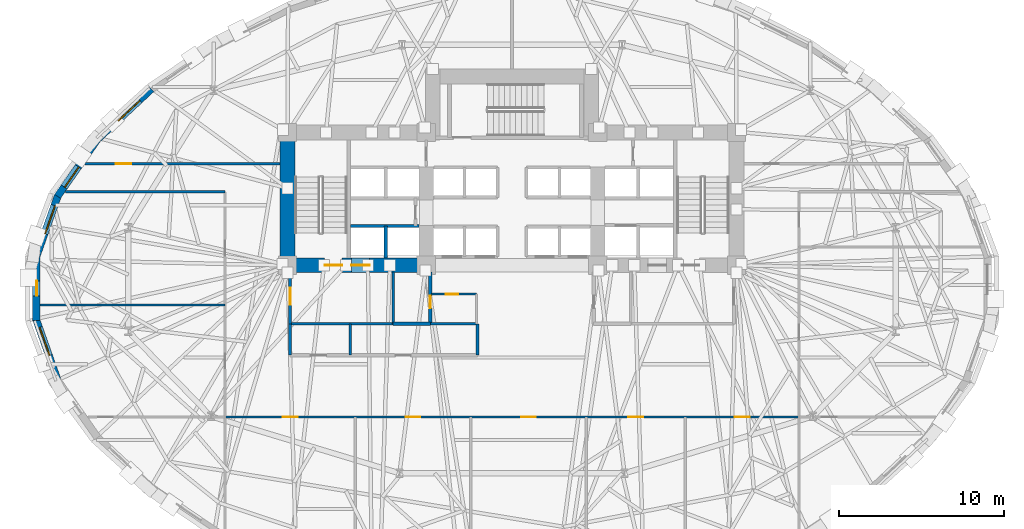
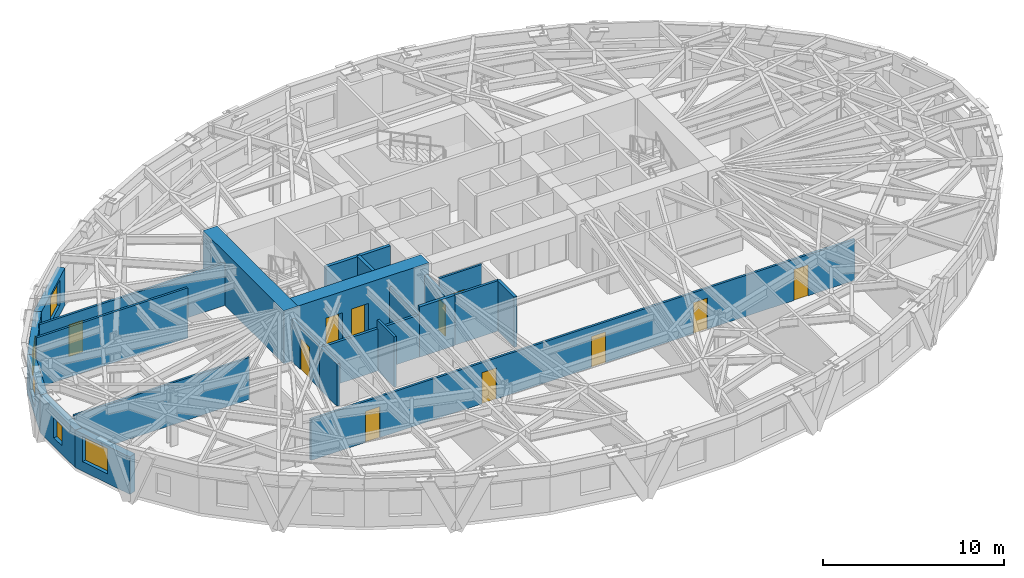
# One storey, part 7 of 14: 23 walls, 11 doors, 5 windows, 16 openings.
"""IFC4 building model written with IfcOpenShell, lengths in metres."""

from ifc_helpers import new_model, si_unit, direction, frame, frame_2d, origin, place, context, subcontext, project, spatial, rectangle, extrude, material, layer, layer_set, type_object, element, fill, save


model = new_model("IFC4")

# Units and contexts
model_context = context("Model", 3, precision=1e-05, world=origin(), true_north=direction((0.0, 1.0)))
body_context = subcontext(model_context, "Body", "Model", "MODEL_VIEW")
ifc_project = project(units=[si_unit("LENGTHUNIT", "METRE"), si_unit("AREAUNIT", "SQUARE_METRE"), si_unit("VOLUMEUNIT", "CUBIC_METRE"), si_unit("PLANEANGLEUNIT", "RADIAN"), si_unit("MASSUNIT", "GRAM", prefix="KILO")], contexts=[model_context])

# Site, building, storey
site_placement = place(None, origin())
site = spatial("IfcSite", under=ifc_project, at=site_placement, CompositionType="ELEMENT")
building_placement = place(site_placement, origin())
building = spatial("IfcBuilding", under=site, at=building_placement, Name="Keldmark Tower", CompositionType="ELEMENT")
storey_placement = place(building_placement, frame((0.0, 0.0, 59.39990234375)))
storey = spatial("IfcBuildingStorey", under=building, at=storey_placement, Name="L15", CompositionType="ELEMENT", Elevation=59.39990234375)

# Wall, openings, doors
ifc_material_1 = material(Name="Acoustic Double-Layer Gypsum Corridor Partition", Category="gypsum")
ifc_layer_1 = layer(ifc_material_1, 0.139892578125)
ifc_layer_set_1 = layer_set([ifc_layer_1], Name="Acoustic Double-Layer Gypsum Corridor Partition")
wall_type_1 = type_object("IfcWallType", Name="Acoustic Corridor Partition 140 mm", PredefinedType="PARTITIONING", material=ifc_layer_set_1)
wall_1_placement = place(storey_placement, frame((-17.39990234375, -7.800048828125, 0.0), z_axis=(0.0, 0.0, 1.0), x_axis=(1.0, 0.0, 0.0)))
wall_1 = element("IfcWall", 1, at=wall_1_placement, inside=storey, type_object=wall_type_1, Name="L15 Acoustic Corridor Partition 140 mm COR-S", PredefinedType="PARTITIONING", context=body_context, shape_type="SweptSolid", body=[
    extrude(rectangle(XDim=34.7998046875, YDim=0.139892578125, at=frame_2d((17.39990234375, 0.0))), origin(), (0.0, 0.0, 1.0), 2.779052734375),
])
opening_1_placement = place(wall_1_placement, frame((3.5, 0.0, 0.0)))
opening_1 = element("IfcOpeningElement", 2, at=opening_1_placement, cuts=wall_1, Name="Opening D-IN090", PredefinedType="OPENING", context=body_context, shape_type="SweptSolid", body=[
    extrude(rectangle(XDim=0.89990234375, YDim=2.10009765625, at=frame_2d((0.449951171875, 1.050048828125))), frame((0.0, 0.079833984375, 0.0), z_axis=(0.0, -1.0, 0.0), x_axis=(1.0, 0.0, 0.0)), (0.0, 0.0, 1.0), 0.159912109375),
])
opening_2_placement = place(wall_1_placement, frame((10.949951171875, 0.0, 0.0)))
opening_2 = element("IfcOpeningElement", 3, at=opening_2_placement, cuts=wall_1, Name="Opening D-IN090", PredefinedType="OPENING", context=body_context, shape_type="SweptSolid", body=[
    extrude(rectangle(XDim=0.89990234375, YDim=2.10009765625, at=frame_2d((0.449951171875, 1.050048828125))), frame((0.0, 0.079833984375, 0.0), z_axis=(0.0, -1.0, 0.0), x_axis=(1.0, 0.0, 0.0)), (0.0, 0.0, 1.0), 0.159912109375),
])
opening_3_placement = place(wall_1_placement, frame((17.949951171875, 0.0, 0.0)))
opening_3 = element("IfcOpeningElement", 4, at=opening_3_placement, cuts=wall_1, Name="Opening D-IN090", PredefinedType="OPENING", context=body_context, shape_type="SweptSolid", body=[
    extrude(rectangle(XDim=0.89990234375, YDim=2.10009765625, at=frame_2d((0.449951171875, 1.050048828125))), frame((0.0, 0.079833984375, 0.0), z_axis=(0.0, -1.0, 0.0), x_axis=(1.0, 0.0, 0.0)), (0.0, 0.0, 1.0), 0.159912109375),
])
opening_4_placement = place(wall_1_placement, frame((24.449951171875, 0.0, 0.0)))
opening_4 = element("IfcOpeningElement", 5, at=opening_4_placement, cuts=wall_1, Name="Opening D-IN090", PredefinedType="OPENING", context=body_context, shape_type="SweptSolid", body=[
    extrude(rectangle(XDim=0.89990234375, YDim=2.10009765625, at=frame_2d((0.449951171875, 1.050048828125))), frame((0.0, 0.079833984375, 0.0), z_axis=(0.0, -1.0, 0.0), x_axis=(1.0, 0.0, 0.0)), (0.0, 0.0, 1.0), 0.159912109375),
])
opening_5_placement = place(wall_1_placement, frame((30.89990234375, 0.0, 0.0)))
opening_5 = element("IfcOpeningElement", 6, at=opening_5_placement, cuts=wall_1, Name="Opening D-IN090", PredefinedType="OPENING", context=body_context, shape_type="SweptSolid", body=[
    extrude(rectangle(XDim=0.89990234375, YDim=2.10009765625, at=frame_2d((0.449951171875, 1.050048828125))), frame((0.0, 0.079833984375, 0.0), z_axis=(0.0, -1.0, 0.0), x_axis=(1.0, 0.0, 0.0)), (0.0, 0.0, 1.0), 0.159912109375),
])
ifc_material_2 = material(Name="Stained American White Oak Veneer", Category="wood")
door_type_1 = type_object("IfcDoorType", Name="Interior Door 900x2100", OperationType="NOTDEFINED", PredefinedType="DOOR", material=ifc_material_2)
door_1_placement = place(opening_1_placement, origin())
door_1 = element("IfcDoor", 7, at=door_1_placement, inside=storey, type_object=door_type_1, Name="L15 Interior Door 900x2100 D-SR-1-L15", OperationType="SINGLE_SWING_LEFT", OverallHeight=2.10009765625, OverallWidth=0.89990234375, PredefinedType="DOOR", context=body_context, shape_type="SweptSolid", body=[
    extrude(rectangle(XDim=0.89990234375, YDim=2.10009765625, at=frame_2d((0.449951171875, 1.050048828125))), frame((0.0, 0.02490234375, 0.0), z_axis=(0.0, -1.0, 0.0), x_axis=(1.0, 0.0, 0.0)), (0.0, 0.0, 1.0), 0.050048828125),
])
fill(opening_1, door_1)
door_2_placement = place(opening_2_placement, origin())
door_2 = element("IfcDoor", 8, at=door_2_placement, inside=storey, type_object=door_type_1, Name="L15 Interior Door 900x2100 D-SR-2-L15", OperationType="SINGLE_SWING_RIGHT", OverallHeight=2.10009765625, OverallWidth=0.89990234375, PredefinedType="DOOR", context=body_context, shape_type="SweptSolid", body=[
    extrude(rectangle(XDim=0.89990234375, YDim=2.10009765625, at=frame_2d((0.449951171875, 1.050048828125))), frame((0.0, 0.02490234375, 0.0), z_axis=(0.0, -1.0, 0.0), x_axis=(1.0, 0.0, 0.0)), (0.0, 0.0, 1.0), 0.050048828125),
])
fill(opening_2, door_2)
door_3_placement = place(opening_3_placement, origin())
door_3 = element("IfcDoor", 9, at=door_3_placement, inside=storey, type_object=door_type_1, Name="L15 Interior Door 900x2100 D-SR-3-L15", OperationType="SINGLE_SWING_LEFT", OverallHeight=2.10009765625, OverallWidth=0.89990234375, PredefinedType="DOOR", context=body_context, shape_type="SweptSolid", body=[
    extrude(rectangle(XDim=0.89990234375, YDim=2.10009765625, at=frame_2d((0.449951171875, 1.050048828125))), frame((0.0, 0.02490234375, 0.0), z_axis=(0.0, -1.0, 0.0), x_axis=(1.0, 0.0, 0.0)), (0.0, 0.0, 1.0), 0.050048828125),
])
fill(opening_3, door_3)
door_4_placement = place(opening_4_placement, origin())
door_4 = element("IfcDoor", 10, at=door_4_placement, inside=storey, type_object=door_type_1, Name="L15 Interior Door 900x2100 D-SR-4-L15", OperationType="SINGLE_SWING_RIGHT", OverallHeight=2.10009765625, OverallWidth=0.89990234375, PredefinedType="DOOR", context=body_context, shape_type="SweptSolid", body=[
    extrude(rectangle(XDim=0.89990234375, YDim=2.10009765625, at=frame_2d((0.449951171875, 1.050048828125))), frame((0.0, 0.02490234375, 0.0), z_axis=(0.0, -1.0, 0.0), x_axis=(1.0, 0.0, 0.0)), (0.0, 0.0, 1.0), 0.050048828125),
])
fill(opening_4, door_4)
door_5_placement = place(opening_5_placement, origin())
door_5 = element("IfcDoor", 11, at=door_5_placement, inside=storey, type_object=door_type_1, Name="L15 Interior Door 900x2100 D-SR-5-L15", OperationType="SINGLE_SWING_LEFT", OverallHeight=2.10009765625, OverallWidth=0.89990234375, PredefinedType="DOOR", context=body_context, shape_type="SweptSolid", body=[
    extrude(rectangle(XDim=0.89990234375, YDim=2.10009765625, at=frame_2d((0.449951171875, 1.050048828125))), frame((0.0, 0.02490234375, 0.0), z_axis=(0.0, -1.0, 0.0), x_axis=(1.0, 0.0, 0.0)), (0.0, 0.0, 1.0), 0.050048828125),
])
fill(opening_5, door_5)

# Wall, opening, door
wall_2_placement = place(storey_placement, frame((-25.889404296875, 7.550048828125, 0.0), z_axis=(0.0, 0.0, 1.0), x_axis=(1.0, 0.0, 0.0)))
wall_2 = element("IfcWall", 12, at=wall_2_placement, inside=storey, type_object=wall_type_1, Name="L15 Acoustic Corridor Partition 140 mm COR-WN-CAP", PredefinedType="PARTITIONING", context=body_context, shape_type="SweptSolid", body=[
    extrude(rectangle(XDim=11.83935546875, YDim=0.139892578125, at=frame_2d((5.919677734375, 0.0))), origin(), (0.0, 0.0, 1.0), 2.85302734375),
])
opening_6_placement = place(wall_2_placement, frame((1.885986328125, 0.0, 0.0)))
opening_6 = element("IfcOpeningElement", 13, at=opening_6_placement, cuts=wall_2, Name="Opening D-EX092", PredefinedType="OPENING", context=body_context, shape_type="SweptSolid", body=[
    extrude(rectangle(XDim=0.919921875, YDim=2.14990234375, at=frame_2d((0.4599609375, 1.074951171875))), frame((0.0, 0.079833984375, 0.0), z_axis=(0.0, -1.0, 0.0), x_axis=(1.0, 0.0, 0.0)), (0.0, 0.0, 1.0), 0.159912109375),
])
ifc_material_3 = material(Name="Flush American Ash Executive Office Door", Category="wood")
door_type_2 = type_object("IfcDoorType", Name="Executive Office Door 920x2150", OperationType="NOTDEFINED", PredefinedType="DOOR", material=ifc_material_3)
door_6_placement = place(opening_6_placement, origin())
door_6 = element("IfcDoor", 14, at=door_6_placement, inside=storey, type_object=door_type_2, Name="L15 Executive Office Door 920x2150 D-NRNW-L15", OperationType="SINGLE_SWING_LEFT", OverallHeight=2.14990234375, OverallWidth=0.919921875, PredefinedType="DOOR", context=body_context, shape_type="SweptSolid", body=[
    extrude(rectangle(XDim=0.919921875, YDim=2.14990234375, at=frame_2d((0.4599609375, 1.074951171875))), frame((0.0, 0.02490234375, 0.0), z_axis=(0.0, -1.0, 0.0), x_axis=(1.0, 0.0, 0.0)), (0.0, 0.0, 1.0), 0.050048828125),
])
fill(opening_6, door_6)

# Walls
wall_3_placement = place(storey_placement, frame((-27.078125, 5.85009765625, 0.0), z_axis=(0.0, 0.0, 1.0), x_axis=(1.0, 0.0, 0.0)))
element("IfcWall", 15, at=wall_3_placement, inside=storey, type_object=wall_type_1, Name="L15 Acoustic Corridor Partition 140 mm COR-WA-S", PredefinedType="PARTITIONING", context=body_context, shape_type="SweptSolid", body=[
    extrude(rectangle(XDim=9.67822265625, YDim=0.139892578125, at=frame_2d((4.839111328125, 0.0))), origin(), (0.0, 0.0, 1.0), 3.400146484375),
])
ifc_material_4 = material(Name="Heavy Acoustic Plumbing Chase Gypsum Assembly", Category="gypsum")
ifc_layer_2 = layer(ifc_material_4, 0.18994140625)
ifc_layer_set_2 = layer_set([ifc_layer_2], Name="Heavy Acoustic Plumbing Chase Gypsum Assembly")
wall_type_2 = type_object("IfcWallType", Name="Heavy Wet Wall 190 mm", PredefinedType="PLUMBINGWALL", material=ifc_layer_set_2)
wall_4_placement = place(storey_placement, frame((-13.449951171875, -4.050048828125, 0.0), z_axis=(0.0, 0.0, 1.0), x_axis=(0.0, 1.0, 0.0)))
element("IfcWall", 16, at=wall_4_placement, inside=storey, type_object=wall_type_2, Name="L15 Heavy Wet Wall 190 mm SPK-W-W", PredefinedType="PLUMBINGWALL", context=body_context, shape_type="SweptSolid", body=[
    extrude(rectangle(XDim=1.900146484375, YDim=0.18994140625, at=frame_2d((0.9501953125, 0.0))), origin(), (0.0, 0.0, 1.0), 2.85302734375),
])
wall_5_placement = place(storey_placement, frame((-2.10009765625, -4.050048828125, 0.0), z_axis=(0.0, 0.0, 1.0), x_axis=(0.0, 1.0, 0.0)))
element("IfcWall", 17, at=wall_5_placement, inside=storey, type_object=wall_type_2, Name="L15 Heavy Wet Wall 190 mm SPK-W-E", PredefinedType="PLUMBINGWALL", context=body_context, shape_type="SweptSolid", body=[
    extrude(rectangle(XDim=1.900146484375, YDim=0.18994140625, at=frame_2d((0.9501953125, 0.0))), origin(), (0.0, 0.0, 1.0), 3.400146484375),
])

# Wall, opening, door
ifc_material_5 = material(Name="Acoustic Gypsum Board Interior Partition", Category="gypsum")
ifc_layer_3 = layer(ifc_material_5, 0.1298828125)
ifc_layer_set_3 = layer_set([ifc_layer_3], Name="Acoustic Gypsum Board Interior Partition")
wall_type_3 = type_object("IfcWallType", Name="Interior Partition 130 mm", PredefinedType="PARTITIONING", material=ifc_layer_set_3)
wall_6_placement = place(storey_placement, frame((-4.8798828125, -0.35009765625, 0.0), z_axis=(0.0, 0.0, 1.0), x_axis=(1.0, 0.0, 0.0)))
wall_6 = element("IfcWall", 18, at=wall_6_placement, inside=storey, type_object=wall_type_3, Name="L15 Interior Partition 130 mm CSC-W-N", PredefinedType="PARTITIONING", context=body_context, shape_type="SweptSolid", body=[
    extrude(rectangle(XDim=2.72998046875, YDim=0.1298828125, at=frame_2d((1.364990234375, 0.0))), origin(), (0.0, 0.0, 1.0), 3.400146484375),
])
opening_7_placement = place(wall_6_placement, frame((0.85009765625, 0.0, 0.0)))
opening_7 = element("IfcOpeningElement", 19, at=opening_7_placement, cuts=wall_6, Name="Opening D-CL078", PredefinedType="OPENING", context=body_context, shape_type="SweptSolid", body=[
    extrude(rectangle(XDim=0.780029296875, YDim=2.10009765625, at=frame_2d((0.39013671875, 1.050048828125))), frame((0.0, 0.074951171875, 0.0), z_axis=(0.0, -1.0, 0.0), x_axis=(1.0, 0.0, 0.0)), (0.0, 0.0, 1.0), 0.14990234375),
])
ifc_material_6 = material(Name="Flush Utility Closet Timber Door", Category="wood")
door_type_3 = type_object("IfcDoorType", Name="Closet Door 780x2100", OperationType="NOTDEFINED", PredefinedType="DOOR", material=ifc_material_6)
door_7_placement = place(opening_7_placement, origin())
door_7 = element("IfcDoor", 20, at=door_7_placement, inside=storey, type_object=door_type_3, Name="L15 Closet Door 780x2100 D-CSCW1-L15", OperationType="SINGLE_SWING_LEFT", OverallHeight=2.10009765625, OverallWidth=0.780029296875, PredefinedType="DOOR", context=body_context, shape_type="SweptSolid", body=[
    extrude(rectangle(XDim=0.780029296875, YDim=2.10009765625, at=frame_2d((0.39013671875, 1.050048828125))), frame((0.0, 0.02490234375, 0.0), z_axis=(0.0, -1.0, 0.0), x_axis=(1.0, 0.0, 0.0)), (0.0, 0.0, 1.0), 0.050048828125),
])
fill(opening_7, door_7)

# Walls
wall_7_placement = place(storey_placement, frame((-28.610107421875, -1.0, 0.0), z_axis=(0.0, 0.0, 1.0), x_axis=(1.0, 0.0, 0.0)))
element("IfcWall", 21, at=wall_7_placement, inside=storey, type_object=wall_type_3, Name="L15 Interior Partition 130 mm W-DIV-1", PredefinedType="PARTITIONING", context=body_context, shape_type="SweptSolid", body=[
    extrude(rectangle(XDim=11.210205078125, YDim=0.1298828125, at=frame_2d((5.60498046875, 0.0))), origin(), (0.0, 0.0, 1.0), 2.841064453125),
])
ifc_material_7 = material(Name="Concrete C70/85", Category="concrete")
ifc_layer_4 = layer(ifc_material_7, 0.89990234375)
ifc_layer_set_4 = layer_set([ifc_layer_4], Name="Concrete C70/85")
wall_type_4 = type_object("IfcWallType", Name="Lower Core Shear Wall 900 mm", PredefinedType="SHEAR", material=ifc_layer_set_4)
wall_8_placement = place(storey_placement, frame((-13.60009765625, 0.949951171875, 0.0), z_axis=(0.0, 0.0, 1.0), x_axis=(0.0, 1.0, 0.0)))
element("IfcWall", 22, at=wall_8_placement, inside=storey, type_object=wall_type_4, Name="L15 West Core Outer Shear Wall", PredefinedType="SHEAR", context=body_context, shape_type="SweptSolid", body=[
    extrude(rectangle(XDim=8.949951171875, YDim=0.89990234375, at=frame_2d((4.47509765625, 0.0))), origin(), (0.0, 0.0, 1.0), 3.60009765625),
])

# Wall, openings, doors
wall_9_placement = place(storey_placement, frame((-4.75, 1.39990234375, 0.0), z_axis=(0.0, 0.0, 1.0), x_axis=(-1.0, 0.0, 0.0)))
wall_9 = element("IfcWall", 23, at=wall_9_placement, inside=storey, type_object=wall_type_4, Name="L15 West Core South Shear Wall", PredefinedType="SHEAR", context=body_context, shape_type="SweptSolid", body=[
    extrude(rectangle(XDim=9.300048828125, YDim=0.89990234375, at=frame_2d((4.64990234375, 0.0))), origin(), (0.0, 0.0, 1.0), 3.60009765625),
])
opening_8_placement = place(wall_9_placement, frame((5.550048828125, 0.0, 0.0)))
opening_8 = element("IfcOpeningElement", 24, at=opening_8_placement, cuts=wall_9, Name="Opening D-ST105", PredefinedType="OPENING", context=body_context, shape_type="SweptSolid", body=[
    extrude(rectangle(XDim=1.050048828125, YDim=2.14990234375, at=frame_2d((0.52490234375, 1.074951171875))), frame((0.0, 0.4599609375, 0.0), z_axis=(0.0, -1.0, 0.0), x_axis=(1.0, 0.0, 0.0)), (0.0, 0.0, 1.0), 0.919921875),
])
opening_9_placement = place(wall_9_placement, frame((3.8798828125, 0.0, 0.0)))
opening_9 = element("IfcOpeningElement", 25, at=opening_9_placement, cuts=wall_9, Name="Opening LD-110", PredefinedType="OPENING", context=body_context, shape_type="SweptSolid", body=[
    extrude(rectangle(XDim=1.10009765625, YDim=2.199951171875, at=frame_2d((0.550048828125, 1.10009765625))), frame((0.0, 0.4599609375, 0.0), z_axis=(0.0, -1.0, 0.0), x_axis=(1.0, 0.0, 0.0)), (0.0, 0.0, 1.0), 0.919921875),
])
ifc_material_8 = material(Name="Brushed Bronze Hoistway Sliding Leaf", Category="metal")
door_type_4 = type_object("IfcDoorType", Name="Lift Landing Sliding Door 1100x2200", OperationType="SLIDING_TO_LEFT", PredefinedType="DOOR", material=ifc_material_8)
door_8_placement = place(opening_9_placement, origin())
door_8 = element("IfcDoor", 26, at=door_8_placement, inside=storey, type_object=door_type_4, Name="L15 Lift Landing Sliding Door 1100x2200 LD-EL-FS1-L15", OperationType="SLIDING_TO_LEFT", OverallHeight=2.199951171875, OverallWidth=1.10009765625, PredefinedType="DOOR", context=body_context, shape_type="SweptSolid", body=[
    extrude(rectangle(XDim=1.10009765625, YDim=2.199951171875, at=frame_2d((0.550048828125, 1.10009765625))), frame((0.0, 0.02490234375, 0.0), z_axis=(0.0, -1.0, 0.0), x_axis=(1.0, 0.0, 0.0)), (0.0, 0.0, 1.0), 0.050048828125),
])
fill(opening_9, door_8)
ifc_material_9 = material(Name="Hollow Metal Fire-Rated Door Assembly", Category="metal")
door_type_5 = type_object("IfcDoorType", Name="Stair Fire Door 1050x2150", OperationType="NOTDEFINED", PredefinedType="DOOR", material=ifc_material_9)
door_9_placement = place(opening_8_placement, origin())
door_9 = element("IfcDoor", 27, at=door_9_placement, inside=storey, type_object=door_type_5, Name="L15 Stair Fire Door 1050x2150 D-ST1-L15", OperationType="SINGLE_SWING_RIGHT", OverallHeight=2.14990234375, OverallWidth=1.050048828125, PredefinedType="DOOR", context=body_context, shape_type="SweptSolid", body=[
    extrude(rectangle(XDim=1.050048828125, YDim=2.14990234375, at=frame_2d((0.52490234375, 1.074951171875))), frame((0.0, 0.02490234375, 0.0), z_axis=(0.0, -1.0, 0.0), x_axis=(1.0, 0.0, 0.0)), (0.0, 0.0, 1.0), 0.050048828125),
])
fill(opening_8, door_9)

# Wall
ifc_material_10 = material(Name="Type X Fire-Rated Gypsum Partition Assembly", Category="gypsum")
ifc_layer_5 = layer(ifc_material_10, 0.1650390625)
ifc_layer_set_5 = layer_set([ifc_layer_5], Name="Type X Fire-Rated Gypsum Partition Assembly")
wall_type_5 = type_object("IfcWallType", Name="Rated Partition 165 mm", PredefinedType="PARTITIONING", material=ifc_layer_set_5)
wall_10_placement = place(storey_placement, frame((-13.449951171875, -2.14990234375, 0.0), z_axis=(0.0, 0.0, 1.0), x_axis=(1.0, 0.0, 0.0)))
element("IfcWall", 28, at=wall_10_placement, inside=storey, type_object=wall_type_5, Name="L15 Rated Partition 165 mm FSAE-W-S", PredefinedType="PARTITIONING", context=body_context, shape_type="SweptSolid", body=[
    extrude(rectangle(XDim=6.25, YDim=0.1650390625, at=frame_2d((3.125, 0.0))), origin(), (0.0, 0.0, 1.0), 2.85302734375),
])

# Wall, opening, door
wall_11_placement = place(storey_placement, frame((-13.449951171875, -2.14990234375, 0.0), z_axis=(0.0, 0.0, 1.0), x_axis=(0.0, 1.0, 0.0)))
wall_11 = element("IfcWall", 29, at=wall_11_placement, inside=storey, type_object=wall_type_5, Name="L15 Rated Partition 165 mm FSAE-W-W", PredefinedType="PARTITIONING", context=body_context, shape_type="SweptSolid", body=[
    extrude(rectangle(XDim=3.14990234375, YDim=0.1650390625, at=frame_2d((1.574951171875, 0.0))), origin(), (0.0, 0.0, 1.0), 2.85302734375),
])
opening_10_placement = place(wall_11_placement, frame((1.14990234375, 0.0, 0.0)))
opening_10 = element("IfcOpeningElement", 30, at=opening_10_placement, cuts=wall_11, Name="Opening D-FL105", PredefinedType="OPENING", context=body_context, shape_type="SweptSolid", body=[
    extrude(rectangle(XDim=1.050048828125, YDim=2.14990234375, at=frame_2d((0.52490234375, 1.074951171875))), frame((0.0, 0.092529296875, 0.0), z_axis=(0.0, -1.0, 0.0), x_axis=(1.0, 0.0, 0.0)), (0.0, 0.0, 1.0), 0.18505859375),
])
ifc_material_11 = material(Name="Fire-Rated Mineral-Core Door and Vision Lite", Category="metal")
door_type_6 = type_object("IfcDoorType", Name="Fire Lobby Door 1050x2150", OperationType="NOTDEFINED", PredefinedType="DOOR", material=ifc_material_11)
door_10_placement = place(opening_10_placement, origin())
door_10 = element("IfcDoor", 31, at=door_10_placement, inside=storey, type_object=door_type_6, Name="L15 Fire Lobby Door 1050x2150 D-FSAEW-OUT-L15", OperationType="SINGLE_SWING_LEFT", OverallHeight=2.14990234375, OverallWidth=1.050048828125, PredefinedType="DOOR", context=body_context, shape_type="SweptSolid", body=[
    extrude(rectangle(XDim=1.050048828125, YDim=2.14990234375, at=frame_2d((0.52490234375, 1.074951171875))), frame((0.0, 0.02490234375, 0.0), z_axis=(0.0, -1.0, 0.0), x_axis=(1.0, 0.0, 0.0)), (0.0, 0.0, 1.0), 0.050048828125),
])
fill(opening_10, door_10)

# Walls
wall_12_placement = place(storey_placement, frame((-7.199951171875, -2.14990234375, 0.0), z_axis=(0.0, 0.0, 1.0), x_axis=(0.0, 1.0, 0.0)))
element("IfcWall", 32, at=wall_12_placement, inside=storey, type_object=wall_type_5, Name="L15 Rated Partition 165 mm FSAE-W-E", PredefinedType="PARTITIONING", context=body_context, shape_type="SweptSolid", body=[
    extrude(rectangle(XDim=3.14990234375, YDim=0.1650390625, at=frame_2d((1.574951171875, 0.0))), origin(), (0.0, 0.0, 1.0), 2.85302734375),
])
ifc_material_12 = material(Name="Fire-Resistant Type X Gypsum Shaftliner Coreboard", Category="gypsum")
ifc_layer_6 = layer(ifc_material_12, 0.199951171875)
ifc_layer_set_6 = layer_set([ifc_layer_6], Name="Fire-Resistant Type X Gypsum Shaftliner Coreboard")
wall_type_6 = type_object("IfcWallType", Name="Shaft Wall 200 mm", PredefinedType="SOLIDWALL", material=ifc_layer_set_6)
wall_13_placement = place(storey_placement, frame((-7.199951171875, -2.14990234375, 0.0), z_axis=(0.0, 0.0, 1.0), x_axis=(1.0, 0.0, 0.0)))
element("IfcWall", 33, at=wall_13_placement, inside=storey, type_object=wall_type_6, Name="L15 Shaft Wall 200 mm RIS-SW-S", PredefinedType="SOLIDWALL", context=body_context, shape_type="SweptSolid", body=[
    extrude(rectangle(XDim=2.25, YDim=0.199951171875, at=frame_2d((1.125, 0.0))), origin(), (0.0, 0.0, 1.0), 3.400146484375),
])

# Wall, opening, door
wall_14_placement = place(storey_placement, frame((-4.949951171875, -2.14990234375, 0.0), z_axis=(0.0, 0.0, 1.0), x_axis=(0.0, 1.0, 0.0)))
wall_14 = element("IfcWall", 34, at=wall_14_placement, inside=storey, type_object=wall_type_6, Name="L15 Shaft Wall 200 mm RIS-SW-E", PredefinedType="SOLIDWALL", context=body_context, shape_type="SweptSolid", body=[
    extrude(rectangle(XDim=3.14990234375, YDim=0.199951171875, at=frame_2d((1.574951171875, 0.0))), origin(), (0.0, 0.0, 1.0), 2.85302734375),
])
opening_11_placement = place(wall_14_placement, frame((0.949951171875, 0.0, 0.0)))
opening_11 = element("IfcOpeningElement", 35, at=opening_11_placement, cuts=wall_14, Name="Opening D-RS075", PredefinedType="OPENING", context=body_context, shape_type="SweptSolid", body=[
    extrude(rectangle(XDim=0.75, YDim=2.10009765625, at=frame_2d((0.375, 1.050048828125))), frame((0.0, 0.10986328125, 0.0), z_axis=(0.0, -1.0, 0.0), x_axis=(1.0, 0.0, 0.0)), (0.0, 0.0, 1.0), 0.219970703125),
])
ifc_material_13 = material(Name="Galvanized Fire-Rated Access Leaf", Category="metal")
door_type_7 = type_object("IfcDoorType", Name="Riser Access Door 750x2100", OperationType="NOTDEFINED", PredefinedType="DOOR", material=ifc_material_13)
door_11_placement = place(opening_11_placement, origin())
door_11 = element("IfcDoor", 36, at=door_11_placement, inside=storey, type_object=door_type_7, Name="L15 Riser Access Door 750x2100 D-RISSW-L15", OperationType="SINGLE_SWING_RIGHT", OverallHeight=2.10009765625, OverallWidth=0.75, PredefinedType="DOOR", context=body_context, shape_type="SweptSolid", body=[
    extrude(rectangle(XDim=0.75, YDim=2.10009765625, at=frame_2d((0.375, 1.050048828125))), frame((0.0, 0.02490234375, 0.0), z_axis=(0.0, -1.0, 0.0), x_axis=(1.0, 0.0, 0.0)), (0.0, 0.0, 1.0), 0.050048828125),
])
fill(opening_11, door_11)

# Walls
wall_15_placement = place(storey_placement, frame((-9.780029296875, 3.780029296875, 0.0), z_axis=(0.0, 0.0, 1.0), x_axis=(1.0, 0.0, 0.0)))
element("IfcWall", 37, at=wall_15_placement, inside=storey, type_object=wall_type_6, Name="L15 Shaft Wall 200 mm HW-W-S", PredefinedType="SOLIDWALL", context=body_context, shape_type="SweptSolid", body=[
    extrude(rectangle(XDim=4.130126953125, YDim=0.199951171875, at=frame_2d((2.06494140625, 0.0))), origin(), (0.0, 0.0, 1.0), 3.400146484375),
])
wall_16_placement = place(storey_placement, frame((-7.64990234375, 1.85009765625, 0.0), z_axis=(0.0, 0.0, 1.0), x_axis=(0.0, 1.0, 0.0)))
element("IfcWall", 38, at=wall_16_placement, inside=storey, type_object=wall_type_6, Name="L15 Shaft Wall 200 mm HW-W-M", PredefinedType="SOLIDWALL", context=body_context, shape_type="SweptSolid", body=[
    extrude(rectangle(XDim=1.929931640625, YDim=0.199951171875, at=frame_2d((0.96484375, 0.0))), origin(), (0.0, 0.0, 1.0), 3.400146484375),
])

# Wall, opening, window
ifc_material_14 = material(Name="Ironspot Manganese Brick and Kasota Buff Limestone Spandrel Assembly", Category="masonry")
ifc_layer_7 = layer(ifc_material_14, 0.43994140625)
ifc_layer_set_7 = layer_set([ifc_layer_7], Name="Ironspot Manganese Brick and Kasota Buff Limestone Spandrel Assembly")
wall_type_7 = type_object("IfcWallType", Name="Tower Brick Pier and Spandrel Wall 440 mm", PredefinedType="STANDARD", material=ifc_layer_set_7)
wall_17_placement = place(storey_placement, frame((-25.1533203125, 9.008544921875, 0.0), z_axis=(0.0, 0.0, 1.0), x_axis=(0.731343335822, 0.682009475849, 0.0)))
wall_17 = element("IfcWall", 39, at=wall_17_placement, inside=storey, type_object=wall_type_7, Name="L15 Exterior Brick and Spandrel Wall 13", PredefinedType="STANDARD", context=body_context, shape_type="SweptSolid", body=[
    extrude(rectangle(XDim=4.50830078125, YDim=0.43994140625, at=frame_2d((2.254150390625, 0.0))), origin(), (0.0, 0.0, 1.0), 2.529052734375),
])
opening_12_placement = place(wall_17_placement, frame((1.722412109375, 0.0, 0.64990234375)))
opening_12 = element("IfcOpeningElement", 40, at=opening_12_placement, cuts=wall_17, Name="Opening W-02", PredefinedType="OPENING", context=body_context, shape_type="SweptSolid", body=[
    extrude(rectangle(XDim=1.800048828125, YDim=1.699951171875, at=frame_2d((0.89990234375, 0.85009765625))), frame((0.0, 0.22998046875, 0.0), z_axis=(0.0, -1.0, 0.0), x_axis=(1.0, 0.0, 0.0)), (0.0, 0.0, 1.0), 0.4599609375),
])
ifc_material_15 = material(Name="Thermally Broken Anodized Aluminum and Triple Low-E Argon Glazing", Category="aluminium")
window_type_1 = type_object("IfcWindowType", Name="Office Deep-Set Triple Window 1800x1700", PartitioningType="TRIPLE_PANEL_VERTICAL", PredefinedType="WINDOW", material=ifc_material_15)
window_1_placement = place(opening_12_placement, origin())
window_1 = element("IfcWindow", 41, at=window_1_placement, inside=storey, type_object=window_type_1, Name="L15 Deep-Set Window 13", OverallHeight=1.699951171875, OverallWidth=1.800048828125, PartitioningType="SINGLE_PANEL", PredefinedType="WINDOW", context=body_context, shape_type="SweptSolid", body=[
    extrude(rectangle(XDim=1.800048828125, YDim=1.699951171875, at=frame_2d((0.89990234375, 0.85009765625))), frame((0.0, -0.010009765625, 0.0), z_axis=(0.0, -1.0, 0.0), x_axis=(1.0, 0.0, 0.0)), (0.0, 0.0, 1.0), 0.06005859375),
])
fill(opening_12, window_1)

wall_18_placement = place(storey_placement, frame((-27.5478515625, 5.576416015625, 0.0), z_axis=(0.0, 0.0, 1.0), x_axis=(0.573152463572, 0.819448749771, 0.0)))
wall_18 = element("IfcWall", 42, at=wall_18_placement, inside=storey, type_object=wall_type_7, Name="L15 Exterior Brick and Spandrel Wall 14", PredefinedType="STANDARD", context=body_context, shape_type="SweptSolid", body=[
    extrude(rectangle(XDim=4.230712890625, YDim=0.43994140625, at=frame_2d((2.115234375, 0.0))), origin(), (0.0, 0.0, 1.0), 2.529052734375),
])
opening_13_placement = place(wall_18_placement, frame((0.69580078125, 0.0, 0.64990234375)))
opening_13 = element("IfcOpeningElement", 43, at=opening_13_placement, cuts=wall_18, Name="Opening W-03", PredefinedType="OPENING", context=body_context, shape_type="SweptSolid", body=[
    extrude(rectangle(XDim=1.5, YDim=1.699951171875, at=frame_2d((0.75, 0.85009765625))), frame((0.0, 0.22998046875, 0.0), z_axis=(0.0, -1.0, 0.0), x_axis=(1.0, 0.0, 0.0)), (0.0, 0.0, 1.0), 0.4599609375),
])
ifc_material_16 = material(Name="Thermally Broken Anodized Aluminum and Triple Low-E Argon Glazing", Category="aluminium")
window_type_2 = type_object("IfcWindowType", Name="Office Corner Deep-Set Window 1500x1700", PartitioningType="DOUBLE_PANEL_VERTICAL", PredefinedType="WINDOW", material=ifc_material_16)
window_2_placement = place(opening_13_placement, origin())
window_2 = element("IfcWindow", 44, at=window_2_placement, inside=storey, type_object=window_type_2, Name="L15 Deep-Set Window 14", OverallHeight=1.699951171875, OverallWidth=1.5, PartitioningType="SINGLE_PANEL", PredefinedType="WINDOW", context=body_context, shape_type="SweptSolid", body=[
    extrude(rectangle(XDim=1.5, YDim=1.699951171875, at=frame_2d((0.75, 0.85009765625))), frame((0.0, -0.010009765625, 0.0), z_axis=(0.0, -1.0, 0.0), x_axis=(1.0, 0.0, 0.0)), (0.0, 0.0, 1.0), 0.06005859375),
])
fill(opening_13, window_2)

wall_19_placement = place(storey_placement, frame((-28.8505859375, 1.866943359375, 0.0), z_axis=(0.0, 0.0, 1.0), x_axis=(0.333264929682, 0.942833223133, 0.0)))
wall_19 = element("IfcWall", 45, at=wall_19_placement, inside=storey, type_object=wall_type_7, Name="L15 Exterior Brick and Spandrel Wall 15", PredefinedType="STANDARD", context=body_context, shape_type="SweptSolid", body=[
    extrude(rectangle(XDim=3.990234375, YDim=0.43994140625, at=frame_2d((1.9951171875, 0.0))), origin(), (0.0, 0.0, 1.0), 2.533203125),
])
opening_14_placement = place(wall_19_placement, frame((1.542724609375, 0.0, 0.64990234375)))
opening_14 = element("IfcOpeningElement", 46, at=opening_14_placement, cuts=wall_19, Name="Opening W-02", PredefinedType="OPENING", context=body_context, shape_type="SweptSolid", body=[
    extrude(rectangle(XDim=1.800048828125, YDim=1.699951171875, at=frame_2d((0.89990234375, 0.85009765625))), frame((0.0, 0.22998046875, 0.0), z_axis=(0.0, -1.0, 0.0), x_axis=(1.0, 0.0, 0.0)), (0.0, 0.0, 1.0), 0.4599609375),
])
window_3_placement = place(opening_14_placement, origin())
window_3 = element("IfcWindow", 47, at=window_3_placement, inside=storey, type_object=window_type_1, Name="L15 Deep-Set Window 15", OverallHeight=1.699951171875, OverallWidth=1.800048828125, PartitioningType="SINGLE_PANEL", PredefinedType="WINDOW", context=body_context, shape_type="SweptSolid", body=[
    extrude(rectangle(XDim=1.800048828125, YDim=1.699951171875, at=frame_2d((0.89990234375, 0.85009765625))), frame((0.0, -0.010009765625, 0.0), z_axis=(0.0, -1.0, 0.0), x_axis=(1.0, 0.0, 0.0)), (0.0, 0.0, 1.0), 0.06005859375),
])
fill(opening_14, window_3)

wall_20_placement = place(storey_placement, frame((-28.837890625, -1.940185546875, 0.0), z_axis=(0.0, 0.0, 1.0), x_axis=(0.0, 1.0, 0.0)))
wall_20 = element("IfcWall", 48, at=wall_20_placement, inside=storey, type_object=wall_type_7, Name="L15 Exterior Brick and Spandrel Wall 16", PredefinedType="STANDARD", context=body_context, shape_type="SweptSolid", body=[
    extrude(rectangle(XDim=3.88037109375, YDim=0.43994140625, at=frame_2d((1.940185546875, 0.0))), origin(), (0.0, 0.0, 1.0), 2.533203125),
])
opening_15_placement = place(wall_20_placement, frame((1.490234375, 0.0, 0.580078125)))
opening_15 = element("IfcOpeningElement", 49, at=opening_15_placement, cuts=wall_20, Name="Opening W-09", PredefinedType="OPENING", context=body_context, shape_type="SweptSolid", body=[
    extrude(rectangle(XDim=0.89990234375, YDim=1.35009765625, at=frame_2d((0.449951171875, 0.675048828125))), frame((0.0, 0.22998046875, 0.0), z_axis=(0.0, -1.0, 0.0), x_axis=(1.0, 0.0, 0.0)), (0.0, 0.0, 1.0), 0.4599609375),
])
ifc_material_17 = material(Name="Thermally Broken Anodized Aluminum and Triple Low-E Argon Glazing", Category="aluminium")
window_type_3 = type_object("IfcWindowType", Name="Corner Pier Deep-Set Window 900x1350", PartitioningType="SINGLE_PANEL", PredefinedType="WINDOW", material=ifc_material_17)
window_4_placement = place(opening_15_placement, origin())
window_4 = element("IfcWindow", 50, at=window_4_placement, inside=storey, type_object=window_type_3, Name="L15 Deep-Set Window 16", OverallHeight=1.35009765625, OverallWidth=0.89990234375, PartitioningType="SINGLE_PANEL", PredefinedType="WINDOW", context=body_context, shape_type="SweptSolid", body=[
    extrude(rectangle(XDim=0.89990234375, YDim=1.35009765625, at=frame_2d((0.449951171875, 0.675048828125))), frame((0.0, -0.010009765625, 0.0), z_axis=(0.0, -1.0, 0.0), x_axis=(1.0, 0.0, 0.0)), (0.0, 0.0, 1.0), 0.06005859375),
])
fill(opening_15, window_4)

wall_21_placement = place(storey_placement, frame((-27.520751953125, -5.629150390625, 0.0), z_axis=(0.0, 0.0, 1.0), x_axis=(-0.333264929682, 0.942833223133, 0.0)))
wall_21 = element("IfcWall", 51, at=wall_21_placement, inside=storey, type_object=wall_type_7, Name="L15 Exterior Brick and Spandrel Wall 17", PredefinedType="STANDARD", context=body_context, shape_type="SweptSolid", body=[
    extrude(rectangle(XDim=3.990234375, YDim=0.43994140625, at=frame_2d((1.9951171875, 0.0))), origin(), (0.0, 0.0, 1.0), 2.533203125),
])
opening_16_placement = place(wall_21_placement, frame((1.64208984375, 0.0, 0.64990234375)))
opening_16 = element("IfcOpeningElement", 52, at=opening_16_placement, cuts=wall_21, Name="Opening W-02", PredefinedType="OPENING", context=body_context, shape_type="SweptSolid", body=[
    extrude(rectangle(XDim=1.800048828125, YDim=1.699951171875, at=frame_2d((0.89990234375, 0.85009765625))), frame((0.0, 0.22998046875, 0.0), z_axis=(0.0, -1.0, 0.0), x_axis=(1.0, 0.0, 0.0)), (0.0, 0.0, 1.0), 0.4599609375),
])
window_5_placement = place(opening_16_placement, origin())
window_5 = element("IfcWindow", 53, at=window_5_placement, inside=storey, type_object=window_type_1, Name="L15 Deep-Set Window 17", OverallHeight=1.699951171875, OverallWidth=1.800048828125, PartitioningType="SINGLE_PANEL", PredefinedType="WINDOW", context=body_context, shape_type="SweptSolid", body=[
    extrude(rectangle(XDim=1.800048828125, YDim=1.699951171875, at=frame_2d((0.89990234375, 0.85009765625))), frame((0.0, -0.010009765625, 0.0), z_axis=(0.0, -1.0, 0.0), x_axis=(1.0, 0.0, 0.0)), (0.0, 0.0, 1.0), 0.06005859375),
])
fill(opening_16, window_5)

# Walls
ifc_material_18 = material(Name="Moisture-Resistant Gypsum Plumbing Partition", Category="gypsum")
ifc_layer_8 = layer(ifc_material_18, 0.14990234375)
ifc_layer_set_8 = layer_set([ifc_layer_8], Name="Moisture-Resistant Gypsum Plumbing Partition")
wall_type_8 = type_object("IfcWallType", Name="Wet Wall 150 mm", PredefinedType="PLUMBINGWALL", material=ifc_layer_set_8)
wall_22_placement = place(storey_placement, frame((-4.949951171875, -2.14990234375, 0.0), z_axis=(0.0, 0.0, 1.0), x_axis=(1.0, 0.0, 0.0)))
element("IfcWall", 54, at=wall_22_placement, inside=storey, type_object=wall_type_8, Name="L15 Wet Wall 150 mm SPK-W-N", PredefinedType="PLUMBINGWALL", context=body_context, shape_type="SweptSolid", body=[
    extrude(rectangle(XDim=2.849853515625, YDim=0.14990234375, at=frame_2d((1.4248046875, 0.0))), origin(), (0.0, 0.0, 1.0), 3.400146484375),
])
wall_23_placement = place(storey_placement, frame((-9.800048828125, -4.050048828125, 0.0), z_axis=(0.0, 0.0, 1.0), x_axis=(0.0, 1.0, 0.0)))
element("IfcWall", 55, at=wall_23_placement, inside=storey, type_object=wall_type_8, Name="L15 Wet Wall 150 mm SPK-W-D1", PredefinedType="PLUMBINGWALL", context=body_context, shape_type="SweptSolid", body=[
    extrude(rectangle(XDim=1.900146484375, YDim=0.14990234375, at=frame_2d((0.9501953125, 0.0))), origin(), (0.0, 0.0, 1.0), 3.400146484375),
])

save(model, "model.ifc")
